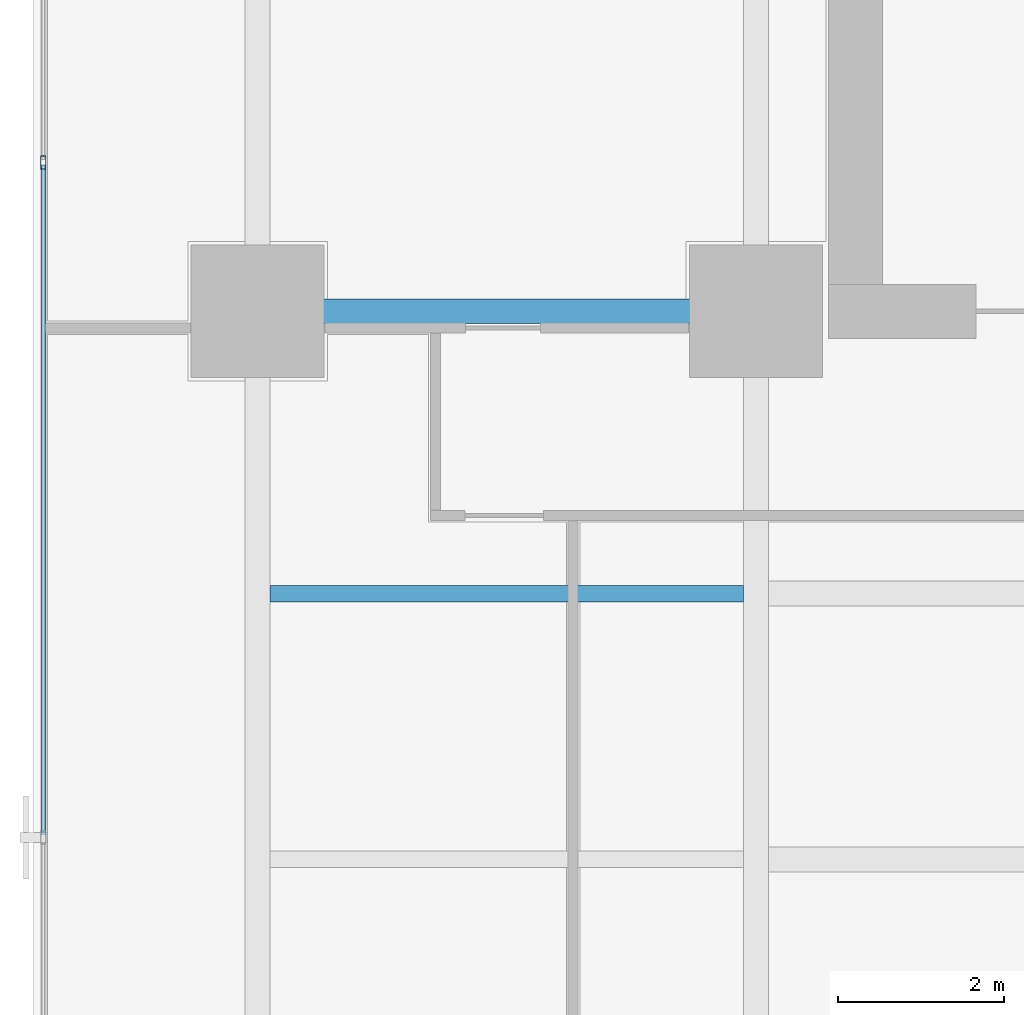
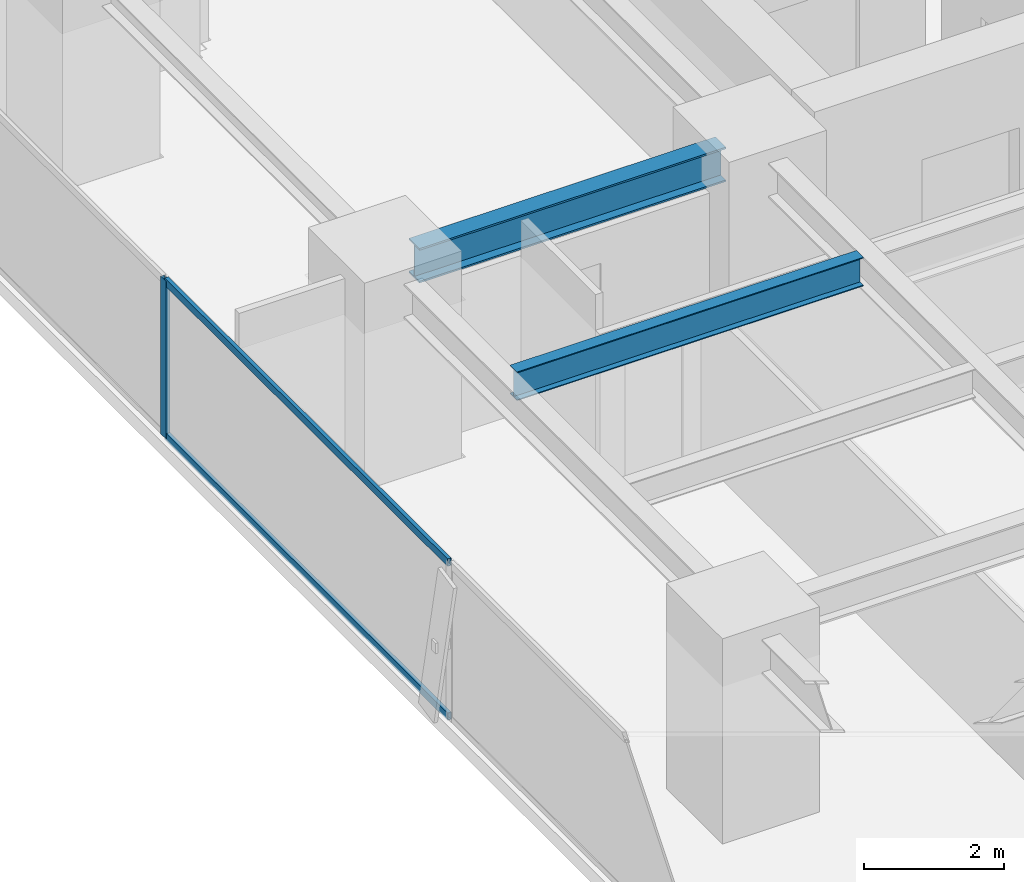
# One storey, part 17 of 37: 3 members, 2 beams, 1 element without a shape of its own.
"""IFC4 building model written with IfcOpenShell, lengths in metres."""

from ifc_helpers import new_model, si_unit, direction, frame, origin, origin_2d, place, context, subcontext, project, spatial, hollow_rectangle, i_section, extrude, source, transform, mapped, material, layer, layer_set, material_profile, profile_set, type_object, element, aggregate, save


model = new_model("IFC4")

# Units and contexts
model_context = context("Model", 3, precision=1e-05, world=origin(), true_north=direction((0.0, 1.0)))
body_context = subcontext(model_context, "Body", "Model", "MODEL_VIEW")
ifc_project = project(units=[si_unit("LENGTHUNIT", "METRE"), si_unit("AREAUNIT", "SQUARE_METRE"), si_unit("VOLUMEUNIT", "CUBIC_METRE"), si_unit("PLANEANGLEUNIT", "RADIAN"), si_unit("MASSUNIT", "GRAM", prefix="KILO")], contexts=[model_context])

# Site, building, storey
site_placement = place(None, origin())
site = spatial("IfcSite", under=ifc_project, at=site_placement, CompositionType="ELEMENT")
building_placement = place(site_placement, origin())
building = spatial("IfcBuilding", under=site, at=building_placement, Name="Sumidabori Civic Tower", CompositionType="ELEMENT")
storey_placement = place(building_placement, frame((0.0, 0.0, 88.39990234375)))
storey = spatial("IfcBuildingStorey", under=building, at=storey_placement, Name="L22", CompositionType="ELEMENT", Elevation=88.39990234375)

# Beams
ifc_material_1 = material(Name="Steel SN490", Category="steel")
ifc_material_profile_1 = material_profile(ifc_material_1, i_section(OverallWidth=0.300048828125, OverallDepth=0.60009765625, WebThickness=0.015380859375, FlangeThickness=0.030029296875, at=origin_2d()), Name="HE 600 B")
ifc_profile_set_1 = profile_set([ifc_material_profile_1], Name="Steel SN490")
beam_type_1 = type_object("IfcBeamType", Name="BM-GIRD-600", PredefinedType="BEAM", material=ifc_profile_set_1)
shared_shape_1 = source(origin(), body_context, "Body", "SweptSolid", [
    extrude(i_section(OverallWidth=0.300048828125, OverallDepth=0.60009765625, WebThickness=0.015380859375, FlangeThickness=0.030029296875, at=origin_2d()), origin(), (0.0, 0.0, 1.0), 5.0400390625),
])
beam_1_placement = place(storey_placement, frame((-22.320068359375, 10.199951171875, 3.06005859375), z_axis=(1.0, 0.0, 0.0), x_axis=(0.0, 1.0, 0.0)))
element("IfcBeam", 1, at=beam_1_placement, inside=storey, type_object=beam_type_1, Name="Primary Girder L22 GX-19", PredefinedType="BEAM", context=body_context, shape_type="MappedRepresentation", body=[
    mapped(shared_shape_1, transform((0.0, 0.0, 0.0), x_axis=(1.0, 0.0, 0.0), y_axis=(0.0, 1.0, 0.0), z_axis=(0.0, 0.0, 1.0), scale=1.0)),
])
ifc_material_profile_2 = material_profile(ifc_material_1, i_section(OverallWidth=0.199951171875, OverallDepth=0.5, WebThickness=0.01025390625, FlangeThickness=0.01611328125, at=origin_2d()), Name="IPE 500")
ifc_profile_set_2 = profile_set([ifc_material_profile_2], Name="Steel SN490")
beam_type_2 = type_object("IfcBeamType", Name="BM-JST-500", PredefinedType="JOIST", material=ifc_profile_set_2)
shared_shape_2 = source(origin(), body_context, "Body", "SweptSolid", [
    extrude(i_section(OverallWidth=0.199951171875, OverallDepth=0.5, WebThickness=0.01025390625, FlangeThickness=0.01611328125, at=origin_2d()), origin(), (0.0, 0.0, 1.0), 5.699951171875),
])
beam_2_placement = place(storey_placement, frame((-22.64990234375, 6.800048828125, 3.110107421875), z_axis=(1.0, 0.0, 0.0), x_axis=(0.0, 1.0, 0.0)))
element("IfcBeam", 2, at=beam_2_placement, inside=storey, type_object=beam_type_2, Name="Outer Bay Floor Joist L22 JSTO-49", PredefinedType="JOIST", context=body_context, shape_type="MappedRepresentation", body=[
    mapped(shared_shape_2, transform((0.0, 0.0, 0.0), x_axis=(1.0, 0.0, 0.0), y_axis=(0.0, 1.0, 0.0), z_axis=(0.0, 0.0, 1.0), scale=1.0)),
])

# Curtain wall, members
ifc_material_2 = material(Name="Anodised Bronze Aluminium AW-6063-T6", Category="aluminium")
ifc_layer = layer(ifc_material_2, 0.179931640625, Name="Anodised Bronze Aluminium AW-6063-T6")
ifc_layer_set = layer_set([ifc_layer], Name="Anodised Bronze Aluminium AW-6063-T6")
curtain_wall_type = type_object("IfcCurtainWallType", Name="CW-SYS-3", PredefinedType="NOTDEFINED", material=ifc_layer_set)
curtain_wall_placement = place(storey_placement, origin())
curtain_wall = element("IfcCurtainWall", 3, at=curtain_wall_placement, inside=storey, type_object=curtain_wall_type, Name="Curtain Wall CW:L22:R10", PredefinedType="NOTDEFINED")
ifc_material_profile_3 = material_profile(ifc_material_2, hollow_rectangle(XDim=0.06494140625, YDim=0.159912109375, WallThickness=0.0048828125, at=origin_2d()), Name="ALU MULLION 160x65")
ifc_profile_set_3 = profile_set([ifc_material_profile_3], Name="Anodised Bronze Aluminium AW-6063-T6")
member_type_1 = type_object("IfcMemberType", Name="CW-MUL-160", PredefinedType="MULLION", material=ifc_profile_set_3)
shared_shape_3 = source(origin(), body_context, "Body", "SweptSolid", [
    extrude(hollow_rectangle(XDim=0.06494140625, YDim=0.159912109375, WallThickness=0.0048828125, at=origin_2d()), origin(), (0.0, 0.0, 1.0), 2.739990234375),
])
member_1_placement = place(storey_placement, frame((-25.3798828125, 11.991943359375, 0.0), z_axis=(0.0, 0.0, 1.0), x_axis=(1.0, 0.0, 0.0)))
member_1 = element("IfcMember", 4, at=member_1_placement, type_object=member_type_1, Name="CW-3 mullion 2", PredefinedType="MULLION", context=body_context, shape_type="MappedRepresentation", body=[
    mapped(shared_shape_3, transform((0.0, 0.0, 0.0), x_axis=(1.0, 0.0, 0.0), y_axis=(0.0, 1.0, 0.0), z_axis=(0.0, 0.0, 1.0), scale=1.0)),
])
ifc_material_profile_4 = material_profile(ifc_material_2, hollow_rectangle(XDim=0.06005859375, YDim=0.1298828125, WallThickness=0.0048828125, at=origin_2d()), Name="ALU TRANSOM 130x60")
ifc_profile_set_4 = profile_set([ifc_material_profile_4], Name="Anodised Bronze Aluminium AW-6063-T6")
member_type_2 = type_object("IfcMemberType", Name="CW-TRN-130", PredefinedType="USERDEFINED", material=ifc_profile_set_4)
shared_shape_4 = source(origin(), body_context, "Body", "SweptSolid", [
    extrude(hollow_rectangle(XDim=0.06005859375, YDim=0.1298828125, WallThickness=0.0048828125, at=origin_2d()), origin(), (0.0, 0.0, 1.0), 8.06298828125),
])
member_2_placement = place(storey_placement, frame((-25.3798828125, 11.95947265625, 0.030029296875), z_axis=(0.0, -1.0, 0.0), x_axis=(1.0, 0.0, 0.0)))
member_2 = element("IfcMember", 5, at=member_2_placement, type_object=member_type_2, Name="CW-3 transom 2.1", ObjectType="TRANSOM", PredefinedType="USERDEFINED", context=body_context, shape_type="MappedRepresentation", body=[
    mapped(shared_shape_4, transform((0.0, 0.0, 0.0), x_axis=(1.0, 0.0, 0.0), y_axis=(0.0, 1.0, 0.0), z_axis=(0.0, 0.0, 1.0), scale=1.0)),
])
member_3_placement = place(storey_placement, frame((-25.3798828125, 11.95947265625, 2.710205078125), z_axis=(0.0, -1.0, 0.0), x_axis=(1.0, 0.0, 0.0)))
member_3 = element("IfcMember", 6, at=member_3_placement, type_object=member_type_2, Name="CW-3 transom 2.2", ObjectType="TRANSOM", PredefinedType="USERDEFINED", context=body_context, shape_type="MappedRepresentation", body=[
    mapped(shared_shape_4, transform((0.0, 0.0, 0.0), x_axis=(1.0, 0.0, 0.0), y_axis=(0.0, 1.0, 0.0), z_axis=(0.0, 0.0, 1.0), scale=1.0)),
])
aggregate(curtain_wall, [member_1, member_2, member_3])

save(model, "model.ifc")
